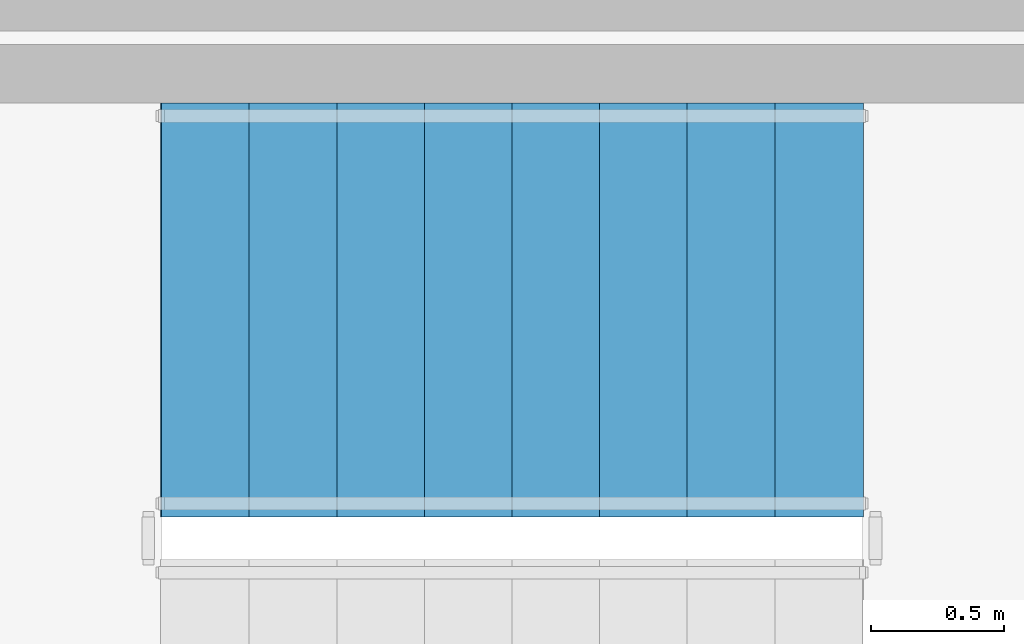
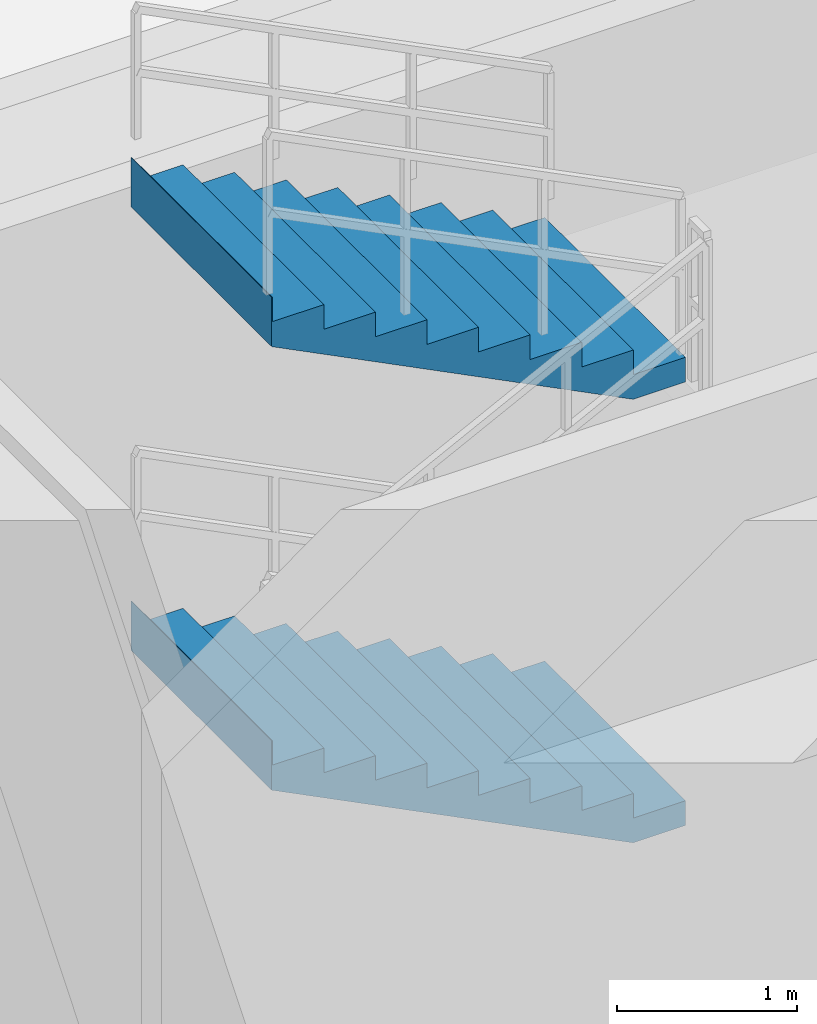
# One storey, part 24 of 29: 2 stair flights, 1 element without a shape of its own.
"""IFC4 building model written with IfcOpenShell, lengths in metres."""

from ifc_helpers import new_model, si_unit, direction, frame, origin, place, context, subcontext, project, spatial, polyline, outline, extrude, source, transform, mapped, material, type_object, element, aggregate, save


model = new_model("IFC4")

# Units and contexts
model_context = context("Model", 3, precision=1e-05, world=origin(), true_north=direction((0.0, 1.0)))
body_context = subcontext(model_context, "Body", "Model", "MODEL_VIEW")
ifc_project = project(units=[si_unit("LENGTHUNIT", "METRE"), si_unit("AREAUNIT", "SQUARE_METRE"), si_unit("VOLUMEUNIT", "CUBIC_METRE"), si_unit("PLANEANGLEUNIT", "RADIAN"), si_unit("MASSUNIT", "GRAM", prefix="KILO")], contexts=[model_context])

# Site, building, storey
site_placement = place(None, origin())
site = spatial("IfcSite", under=ifc_project, at=site_placement, CompositionType="ELEMENT")
building_placement = place(site_placement, origin())
building = spatial("IfcBuilding", under=site, at=building_placement, Name="Ocotamira Hotel", CompositionType="ELEMENT")
storey_placement = place(building_placement, frame((0.0, 0.0, 28.800048828125)))
storey = spatial("IfcBuildingStorey", under=building, at=storey_placement, Name="L06", CompositionType="ELEMENT", Elevation=28.800048828125)

# Stair, stair flights
ifc_material = material(Name="Concrete C40/50", Category="concrete")
stair_type = type_object("IfcStairType", Name="ST-CORE-1560", PredefinedType="HALF_TURN_STAIR", material=ifc_material)
stair_placement = place(storey_placement, origin())
stair = element("IfcStair", 1, at=stair_placement, inside=storey, type_object=stair_type, Name="L06 Exit Stair ST-4", PredefinedType="HALF_TURN_STAIR")
stair_flight_type = type_object("IfcStairFlightType", Name="STF-CORE-1560", PredefinedType="STRAIGHT", material=ifc_material)
shared_shape = source(origin(), body_context, "Body", "SweptSolid", [
    extrude(outline(polyline([(-0.00390625, 0.0), (-0.00390625, 0.166748046875), (0.330078125, 0.166748046875), (0.330078125, 0.333251953125), (0.659912109375, 0.333251953125), (0.659912109375, 0.5), (0.989990234375, 0.5), (0.989990234375, 0.666748046875), (1.320068359375, 0.666748046875), (1.320068359375, 0.833251953125), (1.64990234375, 0.833251953125), (1.64990234375, 1.0), (1.97998046875, 1.0), (1.97998046875, 1.166748046875), (2.31005859375, 1.166748046875), (2.31005859375, 1.333251953125), (2.639892578125, 1.333251953125), (2.639892578125, 1.5), (2.64404296875, 1.5), (2.64404296875, 1.165283203125), (0.33251953125, 0.0), (-0.00390625, 0.0)])), frame((0.0, 0.780029296875, 0.0), z_axis=(0.0, -1.0, 0.0), x_axis=(1.0, 0.0, 0.0)), (0.0, 0.0, 1.0), 1.56005859375),
])
stair_flight_1_placement = place(storey_placement, frame((45.8701171875, 35.550048828125, 1.5), z_axis=(0.0, 0.0, 1.0), x_axis=(-1.0, 0.0, 0.0)))
stair_flight_1 = element("IfcStairFlight", 2, at=stair_flight_1_placement, type_object=stair_flight_type, Name="ST-4 flight 2", NumberOfRisers=9, NumberOfTreads=8, PredefinedType="STRAIGHT", RiserHeight=0.166666667, TreadLength=0.33, context=body_context, shape_type="MappedRepresentation", body=[
    mapped(shared_shape, transform((0.0, 0.0, 0.0), scale=1.0)),
])
stair_flight_2_placement = place(storey_placement, frame((45.8701171875, 35.550048828125, 4.5), z_axis=(0.0, 0.0, 1.0), x_axis=(-1.0, 0.0, 0.0)))
stair_flight_2 = element("IfcStairFlight", 3, at=stair_flight_2_placement, type_object=stair_flight_type, Name="ST-4 flight 4", NumberOfRisers=9, NumberOfTreads=8, PredefinedType="STRAIGHT", RiserHeight=0.166666667, TreadLength=0.33, context=body_context, shape_type="MappedRepresentation", body=[
    mapped(shared_shape, transform((0.0, 0.0, 0.0), scale=1.0)),
])
aggregate(stair, [stair_flight_1, stair_flight_2])

save(model, "model.ifc")
